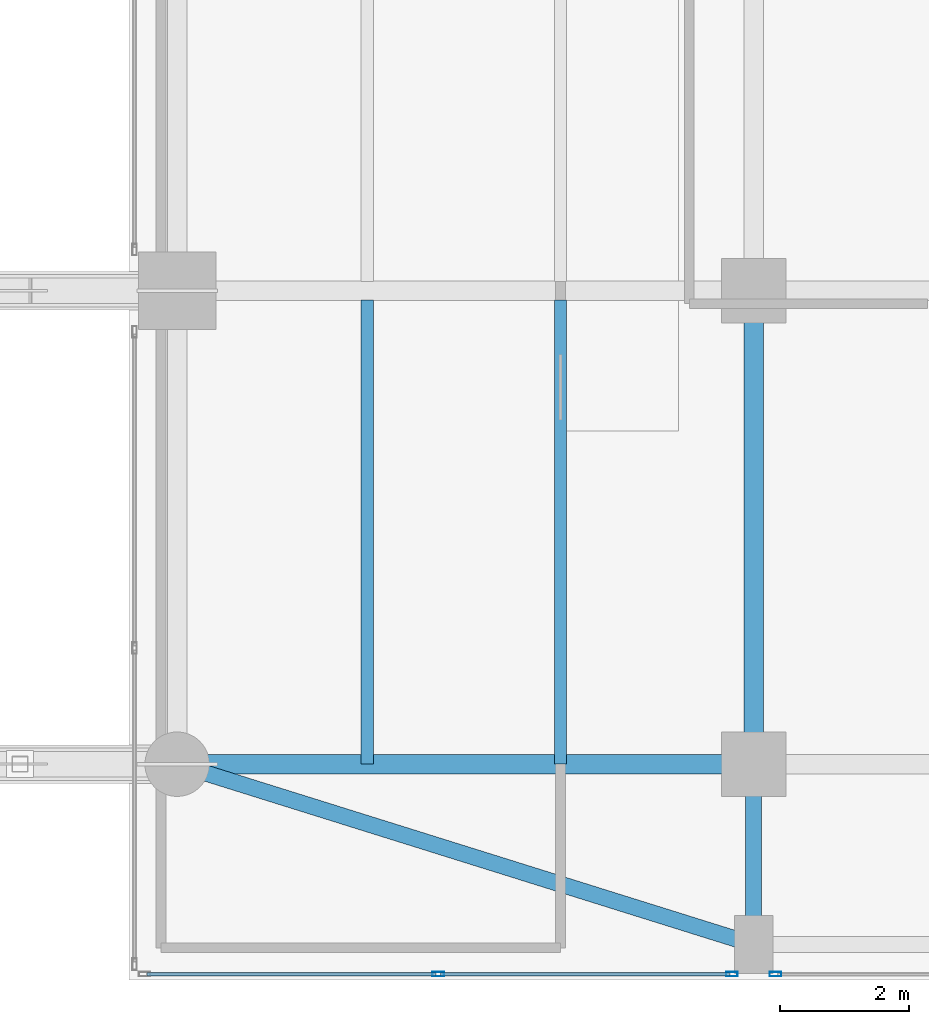
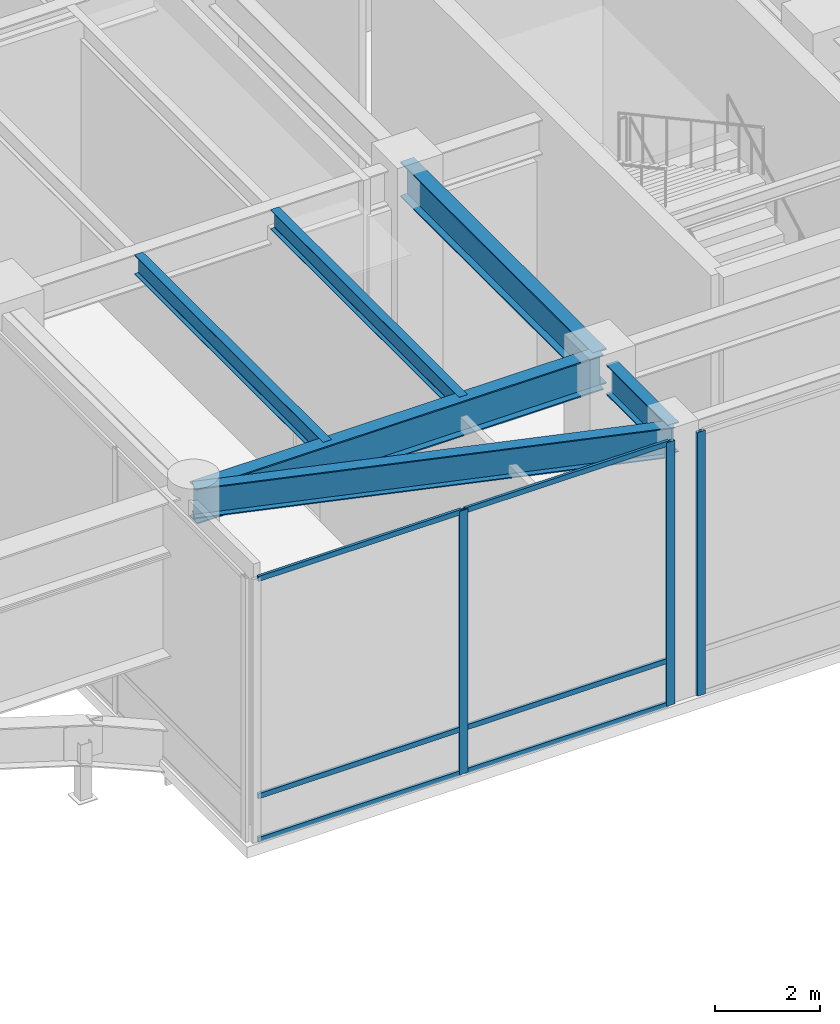
# One storey, part 21 of 50: 9 members, 6 beams, 2 elements without a shape of their own.
"""IFC4 building model written with IfcOpenShell, lengths in metres."""

from ifc_helpers import new_model, si_unit, direction, frame, origin, origin_2d, place, context, subcontext, project, spatial, hollow_rectangle, i_section, extrude, source, transform, mapped, material, layer, layer_set, material_profile, profile_set, type_object, type_shapes, element, aggregate, save


model = new_model("IFC4")

# Units and contexts
model_context = context("Model", 3, precision=1e-05, world=origin(), true_north=direction((0.0, 1.0)))
body_context = subcontext(model_context, "Body", "Model", "MODEL_VIEW")
ifc_project = project(units=[si_unit("LENGTHUNIT", "METRE"), si_unit("AREAUNIT", "SQUARE_METRE"), si_unit("VOLUMEUNIT", "CUBIC_METRE"), si_unit("PLANEANGLEUNIT", "RADIAN"), si_unit("MASSUNIT", "GRAM", prefix="KILO")], contexts=[model_context])

# Site, building, storey
site_placement = place(None, origin())
site = spatial("IfcSite", under=ifc_project, at=site_placement, CompositionType="ELEMENT")
building_placement = place(site_placement, origin())
building = spatial("IfcBuilding", under=site, at=building_placement, Name="Tolvann Quenvar Hotel", CompositionType="ELEMENT")
storey_placement = place(building_placement, frame((0.0, 0.0, 16.0)))
storey = spatial("IfcBuildingStorey", under=building, at=storey_placement, Name="L03", CompositionType="ELEMENT", Elevation=16.0)

# Beams
ifc_material_1 = material(Name="Steel Grade 350", Category="steel")
ifc_material_profile_1 = material_profile(ifc_material_1, i_section(OverallWidth=0.300048828125, OverallDepth=0.81591796875, WebThickness=0.010009765625, FlangeThickness=0.028076171875, at=origin_2d()), Name="800WB192")
ifc_profile_set_1 = profile_set([ifc_material_profile_1], Name="Steel Grade 350")
beam_type_1 = type_object("IfcBeamType", Name="BM_GIRD_800WB192", PredefinedType="BEAM", material=ifc_profile_set_1)
shared_shape_1 = source(origin(), body_context, "Body", "SweptSolid", [
    extrude(i_section(OverallWidth=0.300048828125, OverallDepth=0.81591796875, WebThickness=0.010009765625, FlangeThickness=0.028076171875, at=origin_2d()), origin(), (0.0, 0.0, 1.0), 7.349853515625),
])
beam_1_placement = place(storey_placement, frame((47.199951171875, 0.85009765625, 5.73193359375), z_axis=(0.0, 1.0, 0.0), x_axis=(-1.0, 0.0, 0.0)))
element("IfcBeam", 1, at=beam_1_placement, inside=storey, type_object=beam_type_1, Name="BM-L03-NS-H-0", PredefinedType="BEAM", context=body_context, shape_type="MappedRepresentation", body=[
    mapped(shared_shape_1, transform((0.0, 0.0, 0.0), x_axis=(1.0, 0.0, 0.0), y_axis=(0.0, 1.0, 0.0), z_axis=(0.0, 0.0, 1.0), scale=1.0)),
])
shared_shape_2 = source(origin(), body_context, "Body", "SweptSolid", [
    extrude(i_section(OverallWidth=0.300048828125, OverallDepth=0.81591796875, WebThickness=0.010009765625, FlangeThickness=0.028076171875, at=origin_2d()), origin(), (0.0, 0.0, 1.0), 8.949951171875),
])
type_shapes(beam_type_1, [shared_shape_1, shared_shape_2])
beam_2_placement = place(storey_placement, frame((38.25, 0.85009765625, 5.73193359375), z_axis=(1.0, 0.0, 0.0), x_axis=(0.0, 1.0, 0.0)))
element("IfcBeam", 2, at=beam_2_placement, inside=storey, type_object=beam_type_1, Name="BM-L03-GE1-1", PredefinedType="BEAM", context=body_context, shape_type="MappedRepresentation", body=[
    mapped(shared_shape_2, transform((0.0, 0.0, 0.0), x_axis=(1.0, 0.0, 0.0), y_axis=(0.0, 1.0, 0.0), z_axis=(0.0, 0.0, 1.0), scale=1.0)),
])
ifc_material_profile_2 = material_profile(ifc_material_1, i_section(OverallWidth=0.25, OverallDepth=0.699951171875, WebThickness=0.010009765625, FlangeThickness=0.02392578125, at=origin_2d()), Name="700WB150")
ifc_profile_set_2 = profile_set([ifc_material_profile_2], Name="Steel Grade 350")
beam_type_2 = type_object("IfcBeamType", Name="BM_GIRD_700WB150", PredefinedType="BEAM", material=ifc_profile_set_2)
shared_shape_3 = source(origin(), body_context, "Body", "SweptSolid", [
    extrude(i_section(OverallWidth=0.25, OverallDepth=0.699951171875, WebThickness=0.010009765625, FlangeThickness=0.02392578125, at=origin_2d()), origin(), (0.0, 0.0, 1.0), 2.349853515625),
])
beam_3_placement = place(storey_placement, frame((47.199951171875, -1.949951171875, 5.7900390625), z_axis=(0.0, 1.0, 0.0), x_axis=(-1.0, 0.0, 0.0)))
element("IfcBeam", 3, at=beam_3_placement, inside=storey, type_object=beam_type_2, Name="BM-L03-NSS-H", PredefinedType="BEAM", context=body_context, shape_type="MappedRepresentation", body=[
    mapped(shared_shape_3, transform((0.0, 0.0, 0.0), x_axis=(1.0, 0.0, 0.0), y_axis=(0.0, 1.0, 0.0), z_axis=(0.0, 0.0, 1.0), scale=1.0)),
])
shared_shape_4 = source(origin(), body_context, "Body", "SweptSolid", [
    extrude(i_section(OverallWidth=0.25, OverallDepth=0.699951171875, WebThickness=0.010009765625, FlangeThickness=0.02392578125, at=origin_2d()), origin(), (0.0, 0.0, 1.0), 9.377685546875),
])
type_shapes(beam_type_2, [shared_shape_3, shared_shape_4])
beam_4_placement = place(storey_placement, frame((38.25, 0.85009765625, 5.7900390625), z_axis=(0.954383110647, -0.298584792166, 0.0), x_axis=(0.298584792166, 0.954383110647, 0.0)))
element("IfcBeam", 4, at=beam_4_placement, inside=storey, type_object=beam_type_2, Name="BM-L03-EWS-E0", PredefinedType="BEAM", context=body_context, shape_type="MappedRepresentation", body=[
    mapped(shared_shape_4, transform((0.0, 0.0, 0.0), x_axis=(1.0, 0.0, 0.0), y_axis=(0.0, 1.0, 0.0), z_axis=(0.0, 0.0, 1.0), scale=1.0)),
])
ifc_material_profile_3 = material_profile(ifc_material_1, i_section(OverallWidth=0.18994140625, OverallDepth=0.4541015625, WebThickness=0.008544921875, FlangeThickness=0.0126953125, FilletRadius=0.011474609375, at=origin_2d()), Name="460UB67")
ifc_profile_set_3 = profile_set([ifc_material_profile_3], Name="Steel Grade 350")
beam_type_3 = type_object("IfcBeamType", Name="BM_JOIST_460UB67", PredefinedType="JOIST", material=ifc_profile_set_3)
shared_shape_5 = source(origin(), body_context, "Body", "SweptSolid", [
    extrude(i_section(OverallWidth=0.18994140625, OverallDepth=0.4541015625, WebThickness=0.008544921875, FlangeThickness=0.0126953125, FilletRadius=0.011474609375, at=origin_2d()), origin(), (0.0, 0.0, 1.0), 7.205810546875),
])
type_shapes(beam_type_3, [shared_shape_5])
for number, where, z_axis, x_axis, name in (
    (5, (41.199951171875, 0.85009765625, 5.9130859375), (0.0, 1.0, 0.0), (-1.0, 0.0, 0.0), "BJ-L03-412-8"),
    (6, (44.199951171875, 0.85009765625, 5.9130859375), (0.0, 1.0, 0.0), (-1.0, 0.0, 0.0), "BJ-L03-442-8"),
):
    element("IfcBeam", number, at=place(storey_placement, frame(where, z_axis=z_axis, x_axis=x_axis)), inside=storey, type_object=beam_type_3, Name=name, PredefinedType="JOIST", context=body_context, shape_type="MappedRepresentation", body=[
        mapped(shared_shape_5, transform((0.0, 0.0, 0.0), x_axis=(1.0, 0.0, 0.0), y_axis=(0.0, 1.0, 0.0), z_axis=(0.0, 0.0, 1.0), scale=1.0)),
    ])

# Curtain wall, members
ifc_material_2 = material(Name="Thermally broken anodised architectural aluminium 6063-T6 and laminated low-E glass", Category="aluminium")
ifc_layer = layer(ifc_material_2, 0.179931640625)
ifc_layer_set = layer_set([ifc_layer], Name="Thermally broken anodised architectural aluminium 6063-T6 and laminated low-E glass")
curtain_wall_type = type_object("IfcCurtainWallType", Name="CW_SYS_BALL_02", PredefinedType="USERDEFINED", material=ifc_layer_set)
curtain_wall_1_placement = place(storey_placement, origin())
curtain_wall_1 = element("IfcCurtainWall", 7, at=curtain_wall_1_placement, inside=storey, type_object=curtain_wall_type, Name="Curtain Wall CW-BALL-02 (CWR-L03-E04-S1)", ObjectType="UNITISED CURTAIN WALL", PredefinedType="USERDEFINED")
ifc_material_3 = material(Name="Anodised architectural aluminium 6063-T6 framing", Category="aluminium")
ifc_material_profile_4 = material_profile(ifc_material_3, hollow_rectangle(XDim=0.06005859375, YDim=0.1201171875, WallThickness=0.00341796875, at=origin_2d()), Name="120x60x3.5RHS")
ifc_profile_set_4 = profile_set([ifc_material_profile_4], Name="Anodised architectural aluminium 6063-T6 framing")
member_type_1 = type_object("IfcMemberType", Name="CW_TRAN_120x60", PredefinedType="USERDEFINED", material=ifc_profile_set_4)
shared_shape_6 = source(origin(), body_context, "Body", "SweptSolid", [
    extrude(hollow_rectangle(XDim=0.06005859375, YDim=0.1201171875, WallThickness=0.00341796875, at=origin_2d()), origin(), (0.0, 0.0, 1.0), 4.488037109375),
])
type_shapes(member_type_1, [shared_shape_6])
member_1_placement = place(storey_placement, frame((37.780029296875, -2.409912109375, 0.030029296875), z_axis=(1.0, 0.0, 0.0), x_axis=(0.0, 1.0, 0.0)))
member_1 = element("IfcMember", 8, at=member_1_placement, type_object=member_type_1, Name="CW-BALL-02 transom 1.1", ObjectType="TRANSOM", PredefinedType="USERDEFINED", context=body_context, shape_type="MappedRepresentation", body=[
    mapped(shared_shape_6, transform((0.0, 0.0, 0.0), x_axis=(1.0, 0.0, 0.0), y_axis=(0.0, 1.0, 0.0), z_axis=(0.0, 0.0, 1.0), scale=1.0)),
])
member_2_placement = place(storey_placement, frame((37.780029296875, -2.409912109375, 1.050048828125), z_axis=(1.0, 0.0, 0.0), x_axis=(0.0, 1.0, 0.0)))
member_2 = element("IfcMember", 9, at=member_2_placement, type_object=member_type_1, Name="CW-BALL-02 transom 1.2", ObjectType="TRANSOM", PredefinedType="USERDEFINED", context=body_context, shape_type="MappedRepresentation", body=[
    mapped(shared_shape_6, transform((0.0, 0.0, 0.0), x_axis=(1.0, 0.0, 0.0), y_axis=(0.0, 1.0, 0.0), z_axis=(0.0, 0.0, 1.0), scale=1.0)),
])
member_3_placement = place(storey_placement, frame((37.780029296875, -2.409912109375, 6.110107421875), z_axis=(1.0, 0.0, 0.0), x_axis=(0.0, 1.0, 0.0)))
member_3 = element("IfcMember", 10, at=member_3_placement, type_object=member_type_1, Name="CW-BALL-02 transom 1.3", ObjectType="TRANSOM", PredefinedType="USERDEFINED", context=body_context, shape_type="MappedRepresentation", body=[
    mapped(shared_shape_6, transform((0.0, 0.0, 0.0), x_axis=(1.0, 0.0, 0.0), y_axis=(0.0, 1.0, 0.0), z_axis=(0.0, 0.0, 1.0), scale=1.0)),
])
member_4_placement = place(storey_placement, frame((42.337890625, -2.409912109375, 0.030029296875), z_axis=(1.0, 0.0, 0.0), x_axis=(0.0, 1.0, 0.0)))
member_4 = element("IfcMember", 11, at=member_4_placement, type_object=member_type_1, Name="CW-BALL-02 transom 2.1", ObjectType="TRANSOM", PredefinedType="USERDEFINED", context=body_context, shape_type="MappedRepresentation", body=[
    mapped(shared_shape_6, transform((0.0, 0.0, 0.0), x_axis=(1.0, 0.0, 0.0), y_axis=(0.0, 1.0, 0.0), z_axis=(0.0, 0.0, 1.0), scale=1.0)),
])
member_5_placement = place(storey_placement, frame((42.337890625, -2.409912109375, 1.050048828125), z_axis=(1.0, 0.0, 0.0), x_axis=(0.0, 1.0, 0.0)))
member_5 = element("IfcMember", 12, at=member_5_placement, type_object=member_type_1, Name="CW-BALL-02 transom 2.2", ObjectType="TRANSOM", PredefinedType="USERDEFINED", context=body_context, shape_type="MappedRepresentation", body=[
    mapped(shared_shape_6, transform((0.0, 0.0, 0.0), x_axis=(1.0, 0.0, 0.0), y_axis=(0.0, 1.0, 0.0), z_axis=(0.0, 0.0, 1.0), scale=1.0)),
])
member_6_placement = place(storey_placement, frame((42.337890625, -2.409912109375, 6.110107421875), z_axis=(1.0, 0.0, 0.0), x_axis=(0.0, 1.0, 0.0)))
member_6 = element("IfcMember", 13, at=member_6_placement, type_object=member_type_1, Name="CW-BALL-02 transom 2.3", ObjectType="TRANSOM", PredefinedType="USERDEFINED", context=body_context, shape_type="MappedRepresentation", body=[
    mapped(shared_shape_6, transform((0.0, 0.0, 0.0), x_axis=(1.0, 0.0, 0.0), y_axis=(0.0, 1.0, 0.0), z_axis=(0.0, 0.0, 1.0), scale=1.0)),
])
ifc_material_profile_5 = material_profile(ifc_material_3, hollow_rectangle(XDim=0.070068359375, YDim=0.179931640625, WallThickness=0.00390625, at=origin_2d()), Name="180x70x4RHS")
ifc_profile_set_5 = profile_set([ifc_material_profile_5], Name="Anodised architectural aluminium 6063-T6 framing")
member_type_2 = type_object("IfcMemberType", Name="CW_MULL_180x70", PredefinedType="MULLION", material=ifc_profile_set_5)
shared_shape_7 = source(origin(), body_context, "Body", "SweptSolid", [
    extrude(hollow_rectangle(XDim=0.070068359375, YDim=0.179931640625, WallThickness=0.00390625, at=origin_2d()), origin(), (0.0, 0.0, 1.0), 6.139892578125),
])
type_shapes(member_type_2, [shared_shape_7])
member_7_placement = place(storey_placement, frame((42.302978515625, -2.409912109375, 0.0), z_axis=(0.0, 0.0, 1.0), x_axis=(0.0, 1.0, 0.0)))
member_7 = element("IfcMember", 14, at=member_7_placement, type_object=member_type_2, Name="CW-BALL-02 mullion 2", PredefinedType="MULLION", context=body_context, shape_type="MappedRepresentation", body=[
    mapped(shared_shape_7, transform((0.0, 0.0, 0.0), x_axis=(1.0, 0.0, 0.0), y_axis=(0.0, 1.0, 0.0), z_axis=(0.0, 0.0, 1.0), scale=1.0)),
])
member_8_placement = place(storey_placement, frame((46.861083984375, -2.409912109375, 0.0), z_axis=(0.0, 0.0, 1.0), x_axis=(0.0, 1.0, 0.0)))
member_8 = element("IfcMember", 15, at=member_8_placement, type_object=member_type_2, Name="CW-BALL-02 mullion 3", PredefinedType="MULLION", context=body_context, shape_type="MappedRepresentation", body=[
    mapped(shared_shape_7, transform((0.0, 0.0, 0.0), x_axis=(1.0, 0.0, 0.0), y_axis=(0.0, 1.0, 0.0), z_axis=(0.0, 0.0, 1.0), scale=1.0)),
])
aggregate(curtain_wall_1, [member_7, member_8, member_1, member_2, member_3, member_4, member_5, member_6])

# Curtain wall, member
curtain_wall_2_placement = place(storey_placement, origin())
curtain_wall_2 = element("IfcCurtainWall", 16, at=curtain_wall_2_placement, inside=storey, type_object=curtain_wall_type, Name="Curtain Wall CW-BALL-02 (CWR-L03-E04-S2)", ObjectType="UNITISED CURTAIN WALL", PredefinedType="USERDEFINED")
member_9_placement = place(storey_placement, frame((47.5390625, -2.409912109375, 0.0), z_axis=(0.0, 0.0, 1.0), x_axis=(0.0, 1.0, 0.0)))
member_9 = element("IfcMember", 17, at=member_9_placement, type_object=member_type_2, Name="CW-BALL-02 mullion 1", PredefinedType="MULLION", context=body_context, shape_type="MappedRepresentation", body=[
    mapped(shared_shape_7, transform((0.0, 0.0, 0.0), x_axis=(1.0, 0.0, 0.0), y_axis=(0.0, 1.0, 0.0), z_axis=(0.0, 0.0, 1.0), scale=1.0)),
])
aggregate(curtain_wall_2, [member_9])

save(model, "model.ifc")
